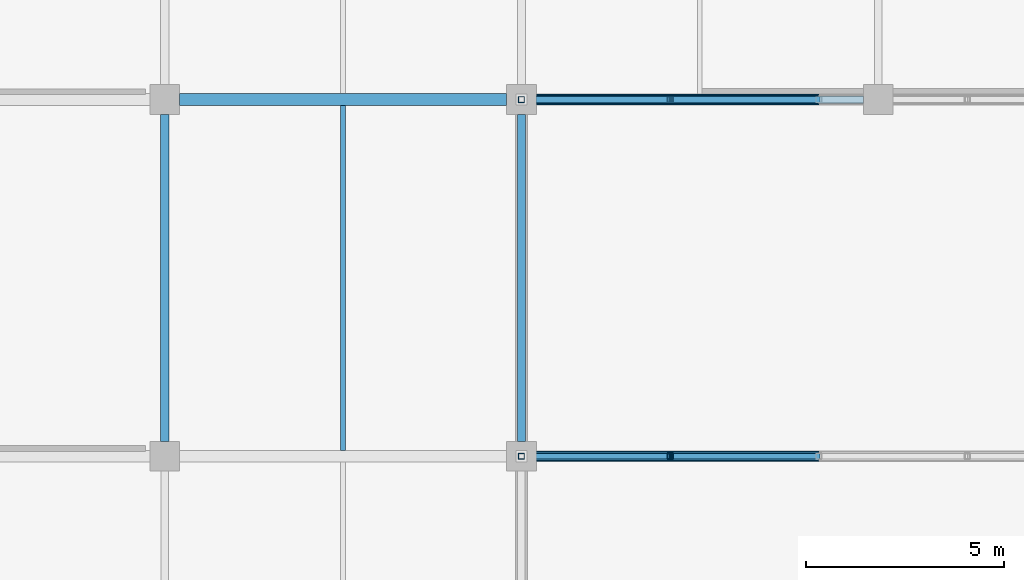
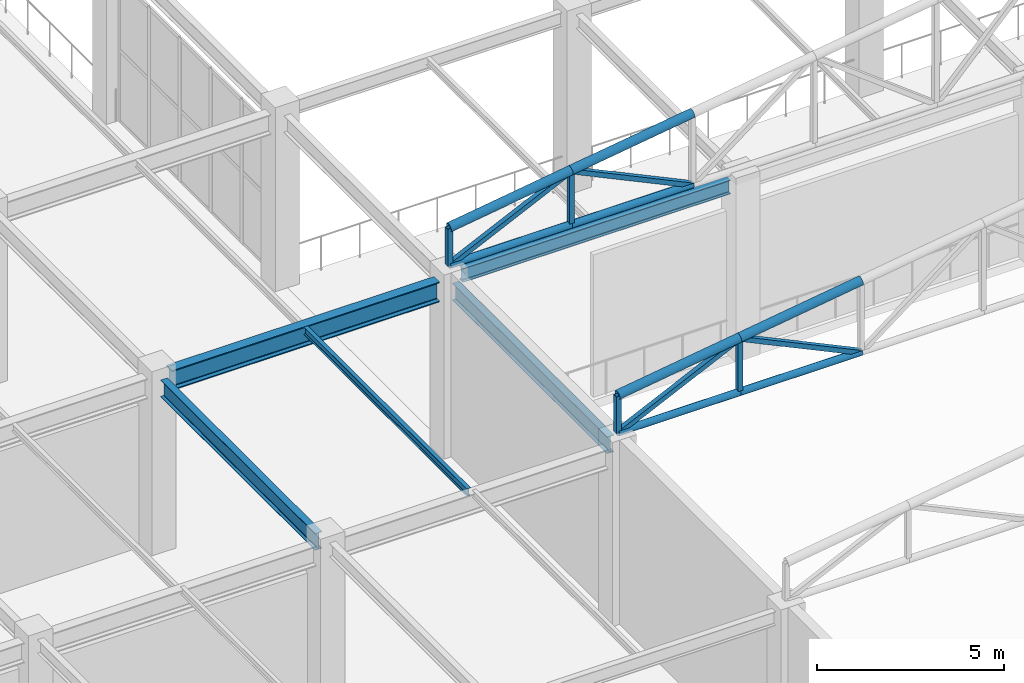
# One storey, part 56 of 223: 16 members, 5 beams.
"""IFC4 building model written with IfcOpenShell, lengths in metres."""

from ifc_helpers import new_model, si_unit, direction, frame, origin, origin_2d, place, context, subcontext, project, spatial, hollow_rectangle, hollow_circle, i_section, extrude, material, material_profile, profile_set, type_object, element, save


model = new_model("IFC4")

# Units and contexts
model_context = context("Model", 3, precision=1e-05, world=origin(), true_north=direction((0.0, 1.0)))
body_context = subcontext(model_context, "Body", "Model", "MODEL_VIEW")
ifc_project = project(units=[si_unit("LENGTHUNIT", "METRE"), si_unit("AREAUNIT", "SQUARE_METRE"), si_unit("VOLUMEUNIT", "CUBIC_METRE"), si_unit("PLANEANGLEUNIT", "RADIAN"), si_unit("MASSUNIT", "GRAM", prefix="KILO")], contexts=[model_context])

# Site, building, storey
site_placement = place(None, origin())
site = spatial("IfcSite", under=ifc_project, at=site_placement, CompositionType="ELEMENT")
building_placement = place(site_placement, origin())
building = spatial("IfcBuilding", under=site, at=building_placement, Name="Dornveld Trade and Exhibition Forum", CompositionType="ELEMENT")
storey_placement = place(building_placement, frame((0.0, 0.0, 6.0)))
storey = spatial("IfcBuildingStorey", under=building, at=storey_placement, Name="L01", CompositionType="ELEMENT", Elevation=6.0)

# Beams
ifc_material_1 = material(Name="Steel S355J2", Category="steel")
ifc_material_profile_1 = material_profile(ifc_material_1, i_section(OverallWidth=0.300048828125, OverallDepth=0.64990234375, WebThickness=0.01611328125, FlangeThickness=0.031005859375, FilletRadius=0.027099609375, at=origin_2d()), Name="HEB 650")
ifc_profile_set_1 = profile_set([ifc_material_profile_1], Name="Steel S355J2")
beam_type_1 = type_object("IfcBeamType", Name="BM-GIR-HEB650", PredefinedType="USERDEFINED", material=ifc_profile_set_1)
beam_1_placement = place(storey_placement, frame((144.37109375, 45.0, 5.31494140625), z_axis=(1.0, 0.0, 0.0), x_axis=(0.0, 1.0, 0.0)))
element("IfcBeam", 1, at=beam_1_placement, inside=storey, type_object=beam_type_1, Name="L01 X-girder 1165", ObjectType="GIRDER", PredefinedType="USERDEFINED", context=body_context, shape_type="SweptSolid", body=[
    extrude(i_section(OverallWidth=0.300048828125, OverallDepth=0.64990234375, WebThickness=0.01611328125, FlangeThickness=0.031005859375, FilletRadius=0.027099609375, at=origin_2d()), origin(), (0.0, 0.0, 1.0), 8.2578125),
])
ifc_material_2 = material(Name="Steel S355J2", Category="steel")
ifc_material_profile_2 = material_profile(ifc_material_2, i_section(OverallWidth=0.1201171875, OverallDepth=0.239990234375, WebThickness=0.006103515625, FlangeThickness=0.009765625, FilletRadius=0.014892578125, at=origin_2d()), Name="IPE 240")
ifc_profile_set_2 = profile_set([ifc_material_profile_2], Name="Steel S355J2")
beam_type_2 = type_object("IfcBeamType", Name="BM-JOIST-240", PredefinedType="JOIST", material=ifc_profile_set_2)
beam_2_placement = place(storey_placement, frame((148.5, 36.14697265625, 5.52001953125), z_axis=(0.0, 1.0, 0.0), x_axis=(-1.0, 0.0, 0.0)))
element("IfcBeam", 2, at=beam_2_placement, inside=storey, type_object=beam_type_2, Name="L01 secondary joist 1272", PredefinedType="JOIST", context=body_context, shape_type="SweptSolid", body=[
    extrude(i_section(OverallWidth=0.1201171875, OverallDepth=0.239990234375, WebThickness=0.006103515625, FlangeThickness=0.009765625, FilletRadius=0.014892578125, at=origin_2d()), origin(), (0.0, 0.0, 1.0), 8.7060546875),
])
ifc_material_3 = material(Name="Steel S355J2", Category="steel")
ifc_material_profile_3 = material_profile(ifc_material_3, i_section(OverallWidth=0.18994140625, OverallDepth=0.449951171875, WebThickness=0.009521484375, FlangeThickness=0.0146484375, FilletRadius=0.02099609375, at=origin_2d()), Name="IPE 450")
ifc_profile_set_3 = profile_set([ifc_material_profile_3], Name="Steel S355J2")
beam_type_3 = type_object("IfcBeamType", Name="BM-SEC-450", PredefinedType="BEAM", material=ifc_profile_set_3)
beam_3_placement = place(storey_placement, frame((153.37109375, 45.0, 5.554931640625), z_axis=(1.0, 0.0, 0.0), x_axis=(0.0, 1.0, 0.0)))
element("IfcBeam", 3, at=beam_3_placement, inside=storey, type_object=beam_type_3, Name="L01 X-girder 1736", PredefinedType="BEAM", context=body_context, shape_type="SweptSolid", body=[
    extrude(i_section(OverallWidth=0.18994140625, OverallDepth=0.449951171875, WebThickness=0.009521484375, FlangeThickness=0.0146484375, FilletRadius=0.02099609375, at=origin_2d()), origin(), (0.0, 0.0, 1.0), 8.2578125),
])
ifc_material_4 = material(Name="Steel S355J2", Category="steel")
ifc_material_profile_4 = material_profile(ifc_material_4, i_section(OverallWidth=0.2099609375, OverallDepth=0.550048828125, WebThickness=0.010986328125, FlangeThickness=0.01708984375, FilletRadius=0.02392578125, at=origin_2d()), Name="IPE 550")
ifc_profile_set_4 = profile_set([ifc_material_profile_4], Name="Steel S355J2")
beam_type_4 = type_object("IfcBeamType", Name="BM-SEC-550", PredefinedType="BEAM", material=ifc_profile_set_4)
for number, where, z_axis, x_axis, name in (
    (4, (144.0, 36.37109375, 5.364990234375), (0.0, 1.0, 0.0), (-1.0, 0.0, 0.0), "L01 Y-girder 1238"),
    (5, (153.0, 36.37109375, 5.364990234375), (0.0, 1.0, 0.0), (-1.0, 0.0, 0.0), "L01 Y-girder 1242"),
):
    element("IfcBeam", number, at=place(storey_placement, frame(where, z_axis=z_axis, x_axis=x_axis)), inside=storey, type_object=beam_type_4, Name=name, PredefinedType="BEAM", context=body_context, shape_type="SweptSolid", body=[
        extrude(i_section(OverallWidth=0.2099609375, OverallDepth=0.550048828125, WebThickness=0.010986328125, FlangeThickness=0.01708984375, FilletRadius=0.02392578125, at=origin_2d()), origin(), (0.0, 0.0, 1.0), 8.2578125),
    ])

# Members
ifc_material_5 = material(Name="Steel S355J2", Category="steel")
ifc_material_profile_5 = material_profile(ifc_material_5, hollow_rectangle(XDim=0.14990234375, YDim=0.14990234375, WallThickness=0.008056640625, at=origin_2d()), Name="SHS 150x150x8")
ifc_profile_set_5 = profile_set([ifc_material_profile_5], Name="Steel S355J2")
member_type_1 = type_object("IfcMemberType", Name="MEM-ARCH-STR", PredefinedType="STRUT", material=ifc_profile_set_5)
member_1_placement = place(storey_placement, frame((153.0, 36.0, 5.97998046875), z_axis=(0.0, 0.0, 1.0), x_axis=(1.0, 0.0, 0.0)))
element("IfcMember", 6, at=member_1_placement, inside=storey, type_object=member_type_1, Name="Congress roof truss 5 post 1", PredefinedType="STRUT", context=body_context, shape_type="SweptSolid", body=[
    extrude(hollow_rectangle(XDim=0.14990234375, YDim=0.14990234375, WallThickness=0.008056640625, at=origin_2d()), origin(), (0.0, 0.0, 1.0), 1.219970703125),
])
member_2_placement = place(storey_placement, frame((156.75, 36.0, 5.97998046875), z_axis=(0.0, 0.0, 1.0), x_axis=(1.0, 0.0, 0.0)))
element("IfcMember", 7, at=member_2_placement, inside=storey, type_object=member_type_1, Name="Congress roof truss 5 post 2", PredefinedType="STRUT", context=body_context, shape_type="SweptSolid", body=[
    extrude(hollow_rectangle(XDim=0.14990234375, YDim=0.14990234375, WallThickness=0.008056640625, at=origin_2d()), origin(), (0.0, 0.0, 1.0), 1.77001953125),
])
member_3_placement = place(storey_placement, frame((153.0, 45.0, 5.97998046875), z_axis=(0.0, 0.0, 1.0), x_axis=(1.0, 0.0, 0.0)))
element("IfcMember", 8, at=member_3_placement, inside=storey, type_object=member_type_1, Name="Congress roof truss 6 post 1", PredefinedType="STRUT", context=body_context, shape_type="SweptSolid", body=[
    extrude(hollow_rectangle(XDim=0.14990234375, YDim=0.14990234375, WallThickness=0.008056640625, at=origin_2d()), origin(), (0.0, 0.0, 1.0), 1.219970703125),
])
member_4_placement = place(storey_placement, frame((156.75, 45.0, 5.97998046875), z_axis=(0.0, 0.0, 1.0), x_axis=(1.0, 0.0, 0.0)))
element("IfcMember", 9, at=member_4_placement, inside=storey, type_object=member_type_1, Name="Congress roof truss 6 post 2", PredefinedType="STRUT", context=body_context, shape_type="SweptSolid", body=[
    extrude(hollow_rectangle(XDim=0.14990234375, YDim=0.14990234375, WallThickness=0.008056640625, at=origin_2d()), origin(), (0.0, 0.0, 1.0), 1.77001953125),
])
ifc_material_6 = material(Name="Steel S355J2", Category="steel")
ifc_material_profile_6 = material_profile(ifc_material_6, hollow_circle(Radius=0.109619140625, WallThickness=0.010009765625, at=origin_2d()), Name="CHS 219.1x10")
ifc_profile_set_6 = profile_set([ifc_material_profile_6], Name="Steel S355J2")
member_type_2 = type_object("IfcMemberType", Name="MEM-CONG-BC", PredefinedType="CHORD", material=ifc_profile_set_6)
for number, where, z_axis, x_axis, name in (
    (10, (153.0, 36.0, 5.97998046875), (1.0, 0.0, 0.0), (0.0, 1.0, 0.0), "Congress roof truss 5 bottom chord 1"),
    (11, (156.75, 36.0, 5.97998046875), (1.0, 0.0, 0.0), (0.0, 1.0, 0.0), "Congress roof truss 5 bottom chord 2"),
    (12, (153.0, 45.0, 5.97998046875), (1.0, 0.0, 0.0), (0.0, 1.0, 0.0), "Congress roof truss 6 bottom chord 1"),
    (13, (156.75, 45.0, 5.97998046875), (1.0, 0.0, 0.0), (0.0, 1.0, 0.0), "Congress roof truss 6 bottom chord 2"),
):
    element("IfcMember", number, at=place(storey_placement, frame(where, z_axis=z_axis, x_axis=x_axis)), inside=storey, type_object=member_type_2, Name=name, PredefinedType="CHORD", context=body_context, shape_type="SweptSolid", body=[
        extrude(hollow_circle(Radius=0.109619140625, WallThickness=0.010009765625, at=origin_2d()), origin(), (0.0, 0.0, 1.0), 3.75),
    ])
ifc_material_7 = material(Name="Steel S355J2", Category="steel")
ifc_material_profile_7 = material_profile(ifc_material_7, hollow_circle(Radius=0.136474609375, WallThickness=0.012451171875, at=origin_2d()), Name="CHS 273x12.5")
ifc_profile_set_7 = profile_set([ifc_material_profile_7], Name="Steel S355J2")
member_type_3 = type_object("IfcMemberType", Name="MEM-CONG-TC", PredefinedType="CHORD", material=ifc_profile_set_7)
for number, where, z_axis, x_axis, name in (
    (14, (153.0, 36.0, 7.199951171875), (0.989413064489, 0.0, 0.145126799108), (0.0, 1.0, 0.0), "Congress roof truss 5 top chord 1"),
    (15, (156.75, 36.0, 7.75), (0.989413064489, 0.0, 0.145126799108), (0.0, 1.0, 0.0), "Congress roof truss 5 top chord 2"),
    (16, (153.0, 45.0, 7.199951171875), (0.989413064489, 0.0, 0.145126799108), (0.0, 1.0, 0.0), "Congress roof truss 6 top chord 1"),
    (17, (156.75, 45.0, 7.75), (0.989413064489, 0.0, 0.145126799108), (0.0, 1.0, 0.0), "Congress roof truss 6 top chord 2"),
):
    element("IfcMember", number, at=place(storey_placement, frame(where, z_axis=z_axis, x_axis=x_axis)), inside=storey, type_object=member_type_3, Name=name, PredefinedType="CHORD", context=body_context, shape_type="SweptSolid", body=[
        extrude(hollow_circle(Radius=0.136474609375, WallThickness=0.012451171875, at=origin_2d()), origin(), (0.0, 0.0, 1.0), 3.7900390625),
    ])
ifc_material_8 = material(Name="Steel S355J2", Category="steel")
ifc_material_profile_8 = material_profile(ifc_material_8, hollow_rectangle(XDim=0.14990234375, YDim=0.14990234375, WallThickness=0.008056640625, at=origin_2d()), Name="SHS 150x150x8")
ifc_profile_set_8 = profile_set([ifc_material_profile_8], Name="Steel S355J2")
member_type_4 = type_object("IfcMemberType", Name="MEM-CONG-WEB", PredefinedType="BRACE", material=ifc_profile_set_8)
for number, where, z_axis, x_axis, name in (
    (18, (153.0, 36.0, 5.97998046875), (0.904324408902, 0.0, 0.426845831025), (0.0, 1.0, 0.0), "Congress roof truss 5 web 1"),
    (19, (160.5, 36.0, 5.97998046875), (-0.904324408902, 0.0, 0.426845831025), (0.0, -1.0, 0.0), "Congress roof truss 5 web 2"),
    (20, (153.0, 45.0, 5.97998046875), (0.904324408902, 0.0, 0.426845831025), (0.0, 1.0, 0.0), "Congress roof truss 6 web 1"),
    (21, (160.5, 45.0, 5.97998046875), (-0.904324408902, 0.0, 0.426845831025), (0.0, -1.0, 0.0), "Congress roof truss 6 web 2"),
):
    element("IfcMember", number, at=place(storey_placement, frame(where, z_axis=z_axis, x_axis=x_axis)), inside=storey, type_object=member_type_4, Name=name, PredefinedType="BRACE", context=body_context, shape_type="SweptSolid", body=[
        extrude(hollow_rectangle(XDim=0.14990234375, YDim=0.14990234375, WallThickness=0.008056640625, at=origin_2d()), origin(), (0.0, 0.0, 1.0), 4.146728515625),
    ])

save(model, "model.ifc")
